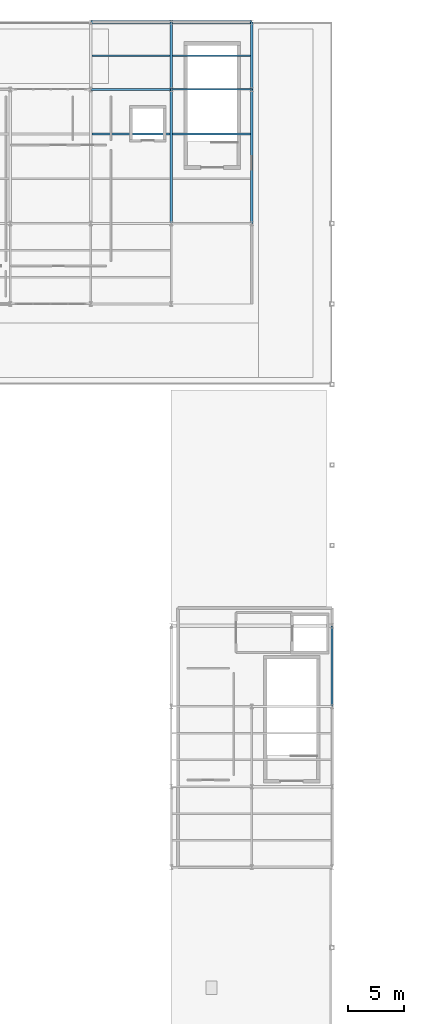
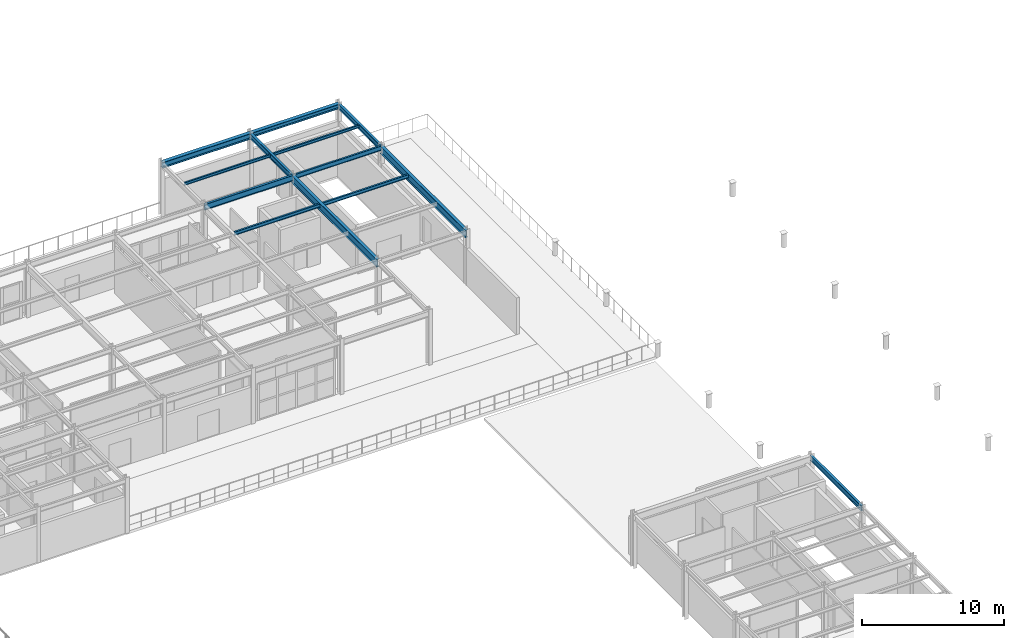
# One storey, part 24 of 41: 13 beams.
"""IFC4 building model written with IfcOpenShell, lengths in metres."""

from ifc_helpers import new_model, si_unit, direction, frame, origin, origin_2d, place, context, subcontext, project, spatial, i_section, extrude, material, material_profile, profile_set, type_object, element, save


model = new_model("IFC4")

# Units and contexts
model_context = context("Model", 3, precision=1e-05, world=origin(), true_north=direction((0.0, 1.0)))
body_context = subcontext(model_context, "Body", "Model", "MODEL_VIEW")
ifc_project = project(units=[si_unit("LENGTHUNIT", "METRE"), si_unit("AREAUNIT", "SQUARE_METRE"), si_unit("VOLUMEUNIT", "CUBIC_METRE"), si_unit("PLANEANGLEUNIT", "RADIAN"), si_unit("MASSUNIT", "GRAM", prefix="KILO")], contexts=[model_context])

# Site, building, storey
site_placement = place(None, origin())
site = spatial("IfcSite", under=ifc_project, at=site_placement, CompositionType="ELEMENT")
building_placement = place(site_placement, origin())
building = spatial("IfcBuilding", under=site, at=building_placement, Name="Solvadek Multi-Sports Hall", CompositionType="ELEMENT")
storey_placement = place(building_placement, frame((0.0, 0.0, 14.39990234375)))
storey = spatial("IfcBuildingStorey", under=building, at=storey_placement, Name="L03", CompositionType="ELEMENT", Elevation=14.39990234375)

# Beams
ifc_material_1 = material(Name="Steel E350 (350 MPa)", Category="steel")
ifc_material_profile_1 = material_profile(ifc_material_1, i_section(OverallWidth=0.139892578125, OverallDepth=0.39990234375, WebThickness=0.0087890625, FlangeThickness=0.01611328125, at=origin_2d()), Name="ISMB 400")
ifc_profile_set_1 = profile_set([ifc_material_profile_1], Name="Steel E350 (350 MPa)")
beam_type_1 = type_object("IfcBeamType", Name="STR-BM-ISMB400", PredefinedType="BEAM", material=ifc_profile_set_1)
beam_1_placement = place(storey_placement, frame((57.60009765625, 104.39990234375, 4.400146484375), z_axis=(1.0, 0.0, 0.0), x_axis=(0.0, 1.0, 0.0)))
element("IfcBeam", 1, at=beam_1_placement, inside=storey, type_object=beam_type_1, Name="L03 Girder B-10 #1649", PredefinedType="BEAM", context=body_context, shape_type="SweptSolid", body=[
    extrude(i_section(OverallWidth=0.139892578125, OverallDepth=0.39990234375, WebThickness=0.0087890625, FlangeThickness=0.01611328125, at=origin_2d()), origin(), (0.0, 0.0, 1.0), 7.199951171875),
])
ifc_material_profile_2 = material_profile(ifc_material_1, i_section(OverallWidth=0.179931640625, OverallDepth=0.5, WebThickness=0.01025390625, FlangeThickness=0.01708984375, at=origin_2d()), Name="ISMB 500")
ifc_profile_set_2 = profile_set([ifc_material_profile_2], Name="Steel E350 (350 MPa)")
beam_type_2 = type_object("IfcBeamType", Name="STR-BM-ISMB500", PredefinedType="BEAM", material=ifc_profile_set_2)
beam_2_placement = place(storey_placement, frame((50.39990234375, 104.39990234375, 4.35009765625), z_axis=(1.0, 0.0, 0.0), x_axis=(0.0, 1.0, 0.0)))
element("IfcBeam", 2, at=beam_2_placement, inside=storey, type_object=beam_type_2, Name="L03 Girder B-07 #1648", PredefinedType="BEAM", context=body_context, shape_type="SweptSolid", body=[
    extrude(i_section(OverallWidth=0.179931640625, OverallDepth=0.5, WebThickness=0.01025390625, FlangeThickness=0.01708984375, at=origin_2d()), origin(), (0.0, 0.0, 1.0), 7.2001953125),
])
ifc_material_profile_3 = material_profile(ifc_material_1, i_section(OverallWidth=0.18994140625, OverallDepth=0.449951171875, WebThickness=0.009521484375, FlangeThickness=0.0146484375, at=origin_2d()), Name="NPB 450")
ifc_profile_set_3 = profile_set([ifc_material_profile_3], Name="Steel E350 (350 MPa)")
beam_type_3 = type_object("IfcBeamType", Name="STR-BM-NPB450", PredefinedType="BEAM", material=ifc_profile_set_3)
for number, where, z_axis, x_axis, name in (
    (3, (57.60009765625, 104.39990234375, 4.375), (0.0, 1.0, 0.0), (-1.0, 0.0, 0.0), "L03 Girder B-08 #1678"),
    (4, (64.800048828125, 104.39990234375, 4.375), (0.0, 1.0, 0.0), (-1.0, 0.0, 0.0), "L03 Girder B-08 #1682"),
):
    element("IfcBeam", number, at=place(storey_placement, frame(where, z_axis=z_axis, x_axis=x_axis)), inside=storey, type_object=beam_type_3, Name=name, PredefinedType="BEAM", context=body_context, shape_type="SweptSolid", body=[
        extrude(i_section(OverallWidth=0.18994140625, OverallDepth=0.449951171875, WebThickness=0.009521484375, FlangeThickness=0.0146484375, at=origin_2d()), origin(), (0.0, 0.0, 1.0), 6.0),
    ])
beam_3_placement = place(storey_placement, frame((72.0, 49.199951171875, 4.375), z_axis=(0.0, 1.0, 0.0), x_axis=(-1.0, 0.0, 0.0)))
element("IfcBeam", 5, at=beam_3_placement, inside=storey, type_object=beam_type_3, Name="L03 Girder B-08 #1685", PredefinedType="BEAM", context=body_context, shape_type="SweptSolid", body=[
    extrude(i_section(OverallWidth=0.18994140625, OverallDepth=0.449951171875, WebThickness=0.009521484375, FlangeThickness=0.0146484375, at=origin_2d()), origin(), (0.0, 0.0, 1.0), 7.199951171875),
])
ifc_material_profile_4 = material_profile(ifc_material_1, i_section(OverallWidth=0.239990234375, OverallDepth=0.64990234375, WebThickness=0.0126953125, FlangeThickness=0.0205078125, at=origin_2d()), Name="NPB 650")
ifc_profile_set_4 = profile_set([ifc_material_profile_4], Name="Steel E350 (350 MPa)")
beam_type_4 = type_object("IfcBeamType", Name="STR-BM-NPB650", PredefinedType="BEAM", material=ifc_profile_set_4)
for number, where, z_axis, x_axis, name in (
    (6, (57.60009765625, 92.39990234375, 4.275146484375), (0.0, 1.0, 0.0), (-1.0, 0.0, 0.0), "L03 Girder B-03 #1677"),
    (7, (64.800048828125, 92.39990234375, 4.275146484375), (0.0, 1.0, 0.0), (-1.0, 0.0, 0.0), "L03 Girder B-03 #1681"),
):
    element("IfcBeam", number, at=place(storey_placement, frame(where, z_axis=z_axis, x_axis=x_axis)), inside=storey, type_object=beam_type_4, Name=name, PredefinedType="BEAM", context=body_context, shape_type="SweptSolid", body=[
        extrude(i_section(OverallWidth=0.239990234375, OverallDepth=0.64990234375, WebThickness=0.0126953125, FlangeThickness=0.0205078125, at=origin_2d()), origin(), (0.0, 0.0, 1.0), 12.0),
    ])
ifc_material_2 = material(Name="Steel E250 (250 MPa)", Category="steel")
ifc_material_profile_5 = material_profile(ifc_material_2, i_section(OverallWidth=0.125, OverallDepth=0.25, WebThickness=0.0068359375, FlangeThickness=0.012451171875, at=origin_2d()), Name="ISMB 250")
ifc_profile_set_5 = profile_set([ifc_material_profile_5], Name="Steel E250 (250 MPa)")
beam_type_5 = type_object("IfcBeamType", Name="STR-JST-ISMB250", PredefinedType="JOIST", material=ifc_profile_set_5)
beam_4_placement = place(storey_placement, frame((50.4951171875, 107.39990234375, 4.47509765625), z_axis=(1.0, 0.0, 0.0), x_axis=(0.0, 1.0, 0.0)))
element("IfcBeam", 8, at=beam_4_placement, inside=storey, type_object=beam_type_5, Name="L03 Composite Joist J-04 #948", PredefinedType="JOIST", context=body_context, shape_type="SweptSolid", body=[
    extrude(i_section(OverallWidth=0.125, OverallDepth=0.25, WebThickness=0.0068359375, FlangeThickness=0.012451171875, at=origin_2d()), origin(), (0.0, 0.0, 1.0), 7.009765625),
])
beam_5_placement = place(storey_placement, frame((57.695068359375, 107.39990234375, 4.47509765625), z_axis=(1.0, 0.0, 0.0), x_axis=(0.0, 1.0, 0.0)))
element("IfcBeam", 9, at=beam_5_placement, inside=storey, type_object=beam_type_5, Name="L03 Composite Joist J-04 #949", PredefinedType="JOIST", context=body_context, shape_type="SweptSolid", body=[
    extrude(i_section(OverallWidth=0.125, OverallDepth=0.25, WebThickness=0.0068359375, FlangeThickness=0.012451171875, at=origin_2d()), origin(), (0.0, 0.0, 1.0), 7.010009765625),
])
ifc_material_profile_6 = material_profile(ifc_material_1, i_section(OverallWidth=0.139892578125, OverallDepth=0.300048828125, WebThickness=0.0078125, FlangeThickness=0.01318359375, at=origin_2d()), Name="ISMB 300")
ifc_profile_set_6 = profile_set([ifc_material_profile_6], Name="Steel E350 (350 MPa)")
beam_type_6 = type_object("IfcBeamType", Name="STR-JST-ISMB300", PredefinedType="JOIST", material=ifc_profile_set_6)
for number, where, z_axis, x_axis, name in (
    (10, (50.52001953125, 100.39990234375, 4.4501953125), (1.0, 0.0, 0.0), (0.0, 1.0, 0.0), "L03 Composite Joist J-03 #945"),
    (11, (57.719970703125, 100.39990234375, 4.4501953125), (1.0, 0.0, 0.0), (0.0, 1.0, 0.0), "L03 Composite Joist J-03 #947"),
):
    element("IfcBeam", number, at=place(storey_placement, frame(where, z_axis=z_axis, x_axis=x_axis)), inside=storey, type_object=beam_type_6, Name=name, PredefinedType="JOIST", context=body_context, shape_type="SweptSolid", body=[
        extrude(i_section(OverallWidth=0.139892578125, OverallDepth=0.300048828125, WebThickness=0.0078125, FlangeThickness=0.01318359375, at=origin_2d()), origin(), (0.0, 0.0, 1.0), 6.9599609375),
    ])
ifc_material_profile_7 = material_profile(ifc_material_1, i_section(OverallWidth=0.300048828125, OverallDepth=0.39990234375, WebThickness=0.013427734375, FlangeThickness=0.02392578125, at=origin_2d()), Name="WPB 400")
ifc_profile_set_7 = profile_set([ifc_material_profile_7], Name="Steel E350 (350 MPa)")
beam_type_7 = type_object("IfcBeamType", Name="STR-SPN-WPB400", PredefinedType="SPANDREL", material=ifc_profile_set_7)
beam_6_placement = place(storey_placement, frame((57.60009765625, 110.39990234375, 4.400146484375), z_axis=(1.0, 0.0, 0.0), x_axis=(0.0, 1.0, 0.0)))
element("IfcBeam", 12, at=beam_6_placement, inside=storey, type_object=beam_type_7, Name="L03 Girder SP-02 #1651", PredefinedType="SPANDREL", context=body_context, shape_type="SweptSolid", body=[
    extrude(i_section(OverallWidth=0.300048828125, OverallDepth=0.39990234375, WebThickness=0.013427734375, FlangeThickness=0.02392578125, at=origin_2d()), origin(), (0.0, 0.0, 1.0), 7.199951171875),
])
ifc_material_profile_8 = material_profile(ifc_material_1, i_section(OverallWidth=0.300048828125, OverallDepth=0.5, WebThickness=0.014404296875, FlangeThickness=0.028076171875, at=origin_2d()), Name="WPB 500")
ifc_profile_set_8 = profile_set([ifc_material_profile_8], Name="Steel E350 (350 MPa)")
beam_type_8 = type_object("IfcBeamType", Name="STR-SPN-WPB500", PredefinedType="SPANDREL", material=ifc_profile_set_8)
beam_7_placement = place(storey_placement, frame((50.39990234375, 110.39990234375, 4.35009765625), z_axis=(1.0, 0.0, 0.0), x_axis=(0.0, 1.0, 0.0)))
element("IfcBeam", 13, at=beam_7_placement, inside=storey, type_object=beam_type_8, Name="L03 Girder SP-01 #1650", PredefinedType="SPANDREL", context=body_context, shape_type="SweptSolid", body=[
    extrude(i_section(OverallWidth=0.300048828125, OverallDepth=0.5, WebThickness=0.014404296875, FlangeThickness=0.028076171875, at=origin_2d()), origin(), (0.0, 0.0, 1.0), 7.2001953125),
])

save(model, "model.ifc")
